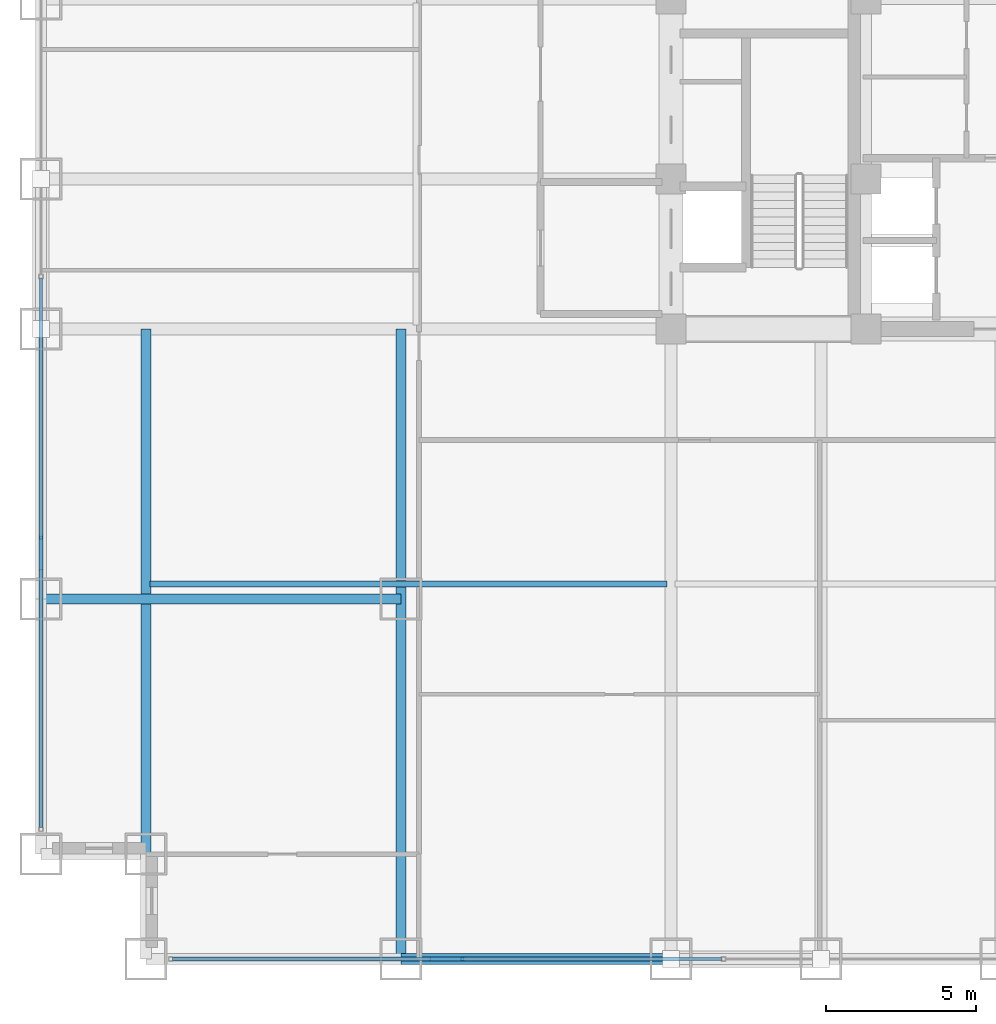
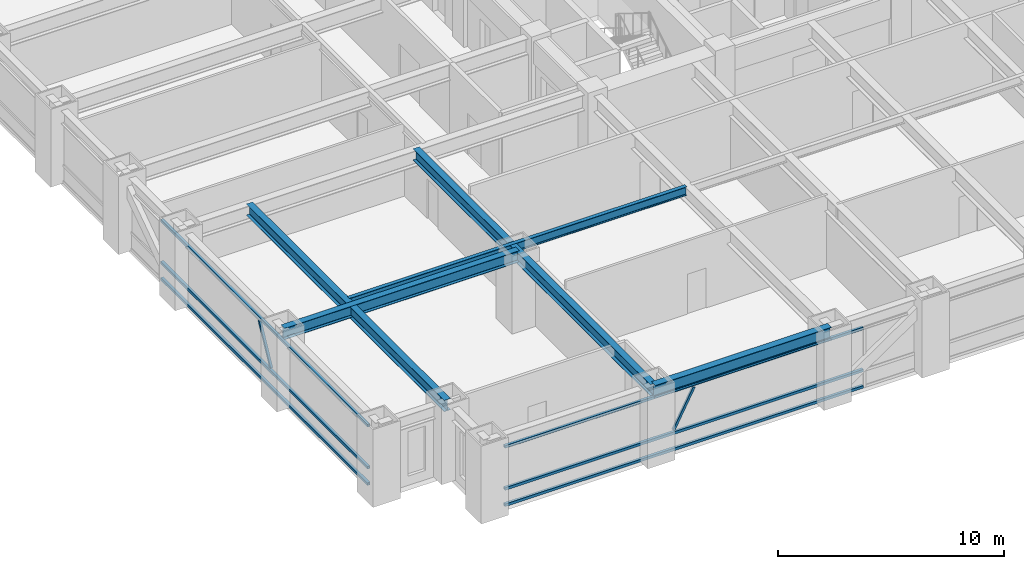
# One storey, part 3 of 28: 8 members, 5 beams, 2 elements without a shape of their own.
"""IFC4 building model written with IfcOpenShell, lengths in metres."""

from ifc_helpers import new_model, si_unit, direction, frame, origin, origin_2d, place, context, subcontext, project, spatial, hollow_rectangle, i_section, extrude, source, transform, mapped, material, material_profile, profile_set, type_object, element, aggregate, save


model = new_model("IFC4")

# Units and contexts
model_context = context("Model", 3, precision=1e-05, world=origin(), true_north=direction((0.0, 1.0)))
body_context = subcontext(model_context, "Body", "Model", "MODEL_VIEW")
ifc_project = project(units=[si_unit("LENGTHUNIT", "METRE"), si_unit("AREAUNIT", "SQUARE_METRE"), si_unit("VOLUMEUNIT", "CUBIC_METRE"), si_unit("PLANEANGLEUNIT", "RADIAN"), si_unit("MASSUNIT", "GRAM", prefix="KILO")], contexts=[model_context])

# Site, building, storey
site_placement = place(None, origin())
site = spatial("IfcSite", under=ifc_project, at=site_placement, CompositionType="ELEMENT")
building_placement = place(site_placement, origin())
building = spatial("IfcBuilding", under=site, at=building_placement, Name="Khorayat Bourse Tower", CompositionType="ELEMENT")
storey_placement = place(building_placement, frame((0.0, 0.0, 57.800048828125)))
storey = spatial("IfcBuildingStorey", under=building, at=storey_placement, Name="L12", CompositionType="ELEMENT", Elevation=57.800048828125)

# Beams
ifc_material_1 = material(Name="Steel ASTM A992 Grade 50", Category="steel")
ifc_material_profile_1 = material_profile(ifc_material_1, i_section(OverallWidth=0.35498046875, OverallDepth=0.695068359375, WebThickness=0.015380859375, FlangeThickness=0.02490234375, FilletRadius=0.01806640625, at=origin_2d()), Name="W690X217")
ifc_profile_set_1 = profile_set([ifc_material_profile_1], Name="Steel ASTM A992 Grade 50")
beam_type_1 = type_object("IfcBeamType", Name="BM-SPAN-690", PredefinedType="SPANDREL", material=ifc_profile_set_1)
shared_shape_1 = source(origin(), body_context, "Body", "SweptSolid", [
    extrude(i_section(OverallWidth=0.35498046875, OverallDepth=0.695068359375, WebThickness=0.015380859375, FlangeThickness=0.02490234375, FilletRadius=0.01806640625, at=origin_2d()), origin(), (0.0, 0.0, 1.0), 9.0),
])
beam_1_placement = place(storey_placement, frame((-20.0, -32.0, 3.592529296875), z_axis=(1.0, 0.0, 0.0), x_axis=(0.0, 1.0, 0.0)))
element("IfcBeam", 1, at=beam_1_placement, inside=storey, type_object=beam_type_1, Name="L12 BM-SPAN-690 BM-L12-SPN-025", PredefinedType="SPANDREL", context=body_context, shape_type="MappedRepresentation", body=[
    mapped(shared_shape_1, transform((0.0, 0.0, 0.0), scale=1.0)),
])
ifc_material_profile_2 = material_profile(ifc_material_1, i_section(OverallWidth=0.324951171875, OverallDepth=0.615966796875, WebThickness=0.013916015625, FlangeThickness=0.021484375, FilletRadius=0.01611328125, at=origin_2d()), Name="W610X174")
ifc_profile_set_2 = profile_set([ifc_material_profile_2], Name="Steel ASTM A992 Grade 50")
beam_type_2 = type_object("IfcBeamType", Name="BM-GIRD-610", PredefinedType="BEAM", material=ifc_profile_set_2)
shared_shape_2 = source(origin(), body_context, "Body", "SweptSolid", [
    extrude(i_section(OverallWidth=0.324951171875, OverallDepth=0.615966796875, WebThickness=0.013916015625, FlangeThickness=0.021484375, FilletRadius=0.01611328125, at=origin_2d()), origin(), (0.0, 0.0, 1.0), 21.0),
])
beam_2_placement = place(storey_placement, frame((-20.0, -32.0, 3.6318359375), z_axis=(0.0, 1.0, 0.0), x_axis=(-1.0, 0.0, 0.0)))
element("IfcBeam", 2, at=beam_2_placement, inside=storey, type_object=beam_type_2, Name="L12 BM-GIRD-610 BM-L12-CNRY-084", PredefinedType="BEAM", context=body_context, shape_type="MappedRepresentation", body=[
    mapped(shared_shape_2, transform((0.0, 0.0, 0.0), scale=1.0)),
])
shared_shape_3 = source(origin(), body_context, "Body", "SweptSolid", [
    extrude(i_section(OverallWidth=0.324951171875, OverallDepth=0.615966796875, WebThickness=0.013916015625, FlangeThickness=0.021484375, FilletRadius=0.01611328125, at=origin_2d()), origin(), (0.0, 0.0, 1.0), 17.5),
])
beam_3_placement = place(storey_placement, frame((-28.5, -28.5, 3.6318359375), z_axis=(0.0, 1.0, 0.0), x_axis=(-1.0, 0.0, 0.0)))
element("IfcBeam", 3, at=beam_3_placement, inside=storey, type_object=beam_type_2, Name="L12 BM-GIRD-610 BM-L12-CNRY-088", PredefinedType="BEAM", context=body_context, shape_type="MappedRepresentation", body=[
    mapped(shared_shape_3, transform((0.0, 0.0, 0.0), scale=1.0)),
])
shared_shape_4 = source(origin(), body_context, "Body", "SweptSolid", [
    extrude(i_section(OverallWidth=0.324951171875, OverallDepth=0.615966796875, WebThickness=0.013916015625, FlangeThickness=0.021484375, FilletRadius=0.01611328125, at=origin_2d()), origin(), (0.0, 0.0, 1.0), 12.0),
])
beam_4_placement = place(storey_placement, frame((-32.0, -20.0, 3.6318359375), z_axis=(1.0, 0.0, 0.0), x_axis=(0.0, 1.0, 0.0)))
element("IfcBeam", 4, at=beam_4_placement, inside=storey, type_object=beam_type_2, Name="L12 BM-GIRD-610 BM-L12-CNRX-093", PredefinedType="BEAM", context=body_context, shape_type="MappedRepresentation", body=[
    mapped(shared_shape_4, transform((0.0, 0.0, 0.0), scale=1.0)),
])
ifc_material_profile_3 = material_profile(ifc_material_1, i_section(OverallWidth=0.194091796875, OverallDepth=0.468994140625, WebThickness=0.0126953125, FlangeThickness=0.0205078125, FilletRadius=0.012939453125, at=origin_2d()), Name="W460X106")
ifc_profile_set_3 = profile_set([ifc_material_profile_3], Name="Steel ASTM A992 Grade 50")
beam_type_3 = type_object("IfcBeamType", Name="BM-JOIST-460", PredefinedType="JOIST", material=ifc_profile_set_3)
shared_shape_5 = source(origin(), body_context, "Body", "SweptSolid", [
    extrude(i_section(OverallWidth=0.194091796875, OverallDepth=0.468994140625, WebThickness=0.0126953125, FlangeThickness=0.0205078125, FilletRadius=0.012939453125, at=origin_2d()), origin(), (0.0, 0.0, 1.0), 17.240234375),
])
beam_5_placement = place(storey_placement, frame((-28.3701171875, -19.5, 3.70556640625), z_axis=(1.0, 0.0, 0.0), x_axis=(0.0, 1.0, 0.0)))
element("IfcBeam", 5, at=beam_5_placement, inside=storey, type_object=beam_type_3, Name="L12 BM-JOIST-460 BM-L12-JSTX-096", PredefinedType="JOIST", context=body_context, shape_type="MappedRepresentation", body=[
    mapped(shared_shape_5, transform((0.0, 0.0, 0.0), scale=1.0)),
])

# Curtain wall, members
ifc_material_2 = material(Name="Aluminium EN AW-6063 T6", Category="aluminium")
curtain_wall_type = type_object("IfcCurtainWallType", Name="CW-SYS-02", PredefinedType="NOTDEFINED", material=ifc_material_2)
curtain_wall_1_placement = place(storey_placement, origin())
curtain_wall_1 = element("IfcCurtainWall", 6, at=curtain_wall_1_placement, inside=storey, type_object=curtain_wall_type, Name="L12 Curtain Wall CW-L12-S1", PredefinedType="NOTDEFINED")
ifc_material_profile_4 = material_profile(ifc_material_2, hollow_rectangle(XDim=0.139892578125, YDim=0.139892578125, WallThickness=0.006103515625, at=origin_2d()), Name="ALU 140x140x6")
ifc_profile_set_4 = profile_set([ifc_material_profile_4], Name="Aluminium EN AW-6063 T6")
member_type_1 = type_object("IfcMemberType", Name="CWT-HORZ-140", PredefinedType="USERDEFINED", material=ifc_profile_set_4)
shared_shape_6 = source(origin(), body_context, "Body", "SweptSolid", [
    extrude(hollow_rectangle(XDim=0.139892578125, YDim=0.139892578125, WallThickness=0.006103515625, at=origin_2d()), origin(), (0.0, 0.0, 1.0), 18.2900390625),
])
member_1_placement = place(storey_placement, frame((-27.610107421875, -32.0, 0.070068359375), z_axis=(1.0, 0.0, 0.0), x_axis=(0.0, 1.0, 0.0)))
member_1 = element("IfcMember", 7, at=member_1_placement, type_object=member_type_1, Name="CW-L12-S1 Horizontal Transom 1-1", ObjectType="TRANSOM", PredefinedType="USERDEFINED", context=body_context, shape_type="MappedRepresentation", body=[
    mapped(shared_shape_6, transform((0.0, 0.0, 0.0), scale=1.0)),
])
member_2_placement = place(storey_placement, frame((-27.610107421875, -32.0, 0.949951171875), z_axis=(1.0, 0.0, 0.0), x_axis=(0.0, 1.0, 0.0)))
member_2 = element("IfcMember", 8, at=member_2_placement, type_object=member_type_1, Name="CW-L12-S1 Horizontal Transom 1-2", ObjectType="TRANSOM", PredefinedType="USERDEFINED", context=body_context, shape_type="MappedRepresentation", body=[
    mapped(shared_shape_6, transform((0.0, 0.0, 0.0), scale=1.0)),
])
member_3_placement = place(storey_placement, frame((-27.610107421875, -32.0, 3.219970703125), z_axis=(1.0, 0.0, 0.0), x_axis=(0.0, 1.0, 0.0)))
member_3 = element("IfcMember", 9, at=member_3_placement, type_object=member_type_1, Name="CW-L12-S1 Horizontal Transom 1-3", ObjectType="TRANSOM", PredefinedType="USERDEFINED", context=body_context, shape_type="MappedRepresentation", body=[
    mapped(shared_shape_6, transform((0.0, 0.0, 0.0), scale=1.0)),
])

curtain_wall_2_placement = place(storey_placement, origin())
curtain_wall_2 = element("IfcCurtainWall", 10, at=curtain_wall_2_placement, inside=storey, type_object=curtain_wall_type, Name="L12 Curtain Wall CW-L12-W1", PredefinedType="NOTDEFINED")
member_4_placement = place(storey_placement, frame((-32.0, -27.610107421875, 0.070068359375), z_axis=(0.0, 1.0, 0.0), x_axis=(-1.0, 0.0, 0.0)))
member_4 = element("IfcMember", 11, at=member_4_placement, type_object=member_type_1, Name="CW-L12-W1 Horizontal Transom 1-1", ObjectType="TRANSOM", PredefinedType="USERDEFINED", context=body_context, shape_type="MappedRepresentation", body=[
    mapped(shared_shape_6, transform((0.0, 0.0, 0.0), scale=1.0)),
])
member_5_placement = place(storey_placement, frame((-32.0, -27.610107421875, 0.949951171875), z_axis=(0.0, 1.0, 0.0), x_axis=(-1.0, 0.0, 0.0)))
member_5 = element("IfcMember", 12, at=member_5_placement, type_object=member_type_1, Name="CW-L12-W1 Horizontal Transom 1-2", ObjectType="TRANSOM", PredefinedType="USERDEFINED", context=body_context, shape_type="MappedRepresentation", body=[
    mapped(shared_shape_6, transform((0.0, 0.0, 0.0), scale=1.0)),
])
member_6_placement = place(storey_placement, frame((-32.0, -27.610107421875, 3.219970703125), z_axis=(0.0, 1.0, 0.0), x_axis=(-1.0, 0.0, 0.0)))
member_6 = element("IfcMember", 13, at=member_6_placement, type_object=member_type_1, Name="CW-L12-W1 Horizontal Transom 1-3", ObjectType="TRANSOM", PredefinedType="USERDEFINED", context=body_context, shape_type="MappedRepresentation", body=[
    mapped(shared_shape_6, transform((0.0, 0.0, 0.0), scale=1.0)),
])

# Member
ifc_material_profile_5 = material_profile(ifc_material_2, hollow_rectangle(XDim=0.1201171875, YDim=0.1201171875, WallThickness=0.0048828125, at=origin_2d()), Name="ALU 120x120x5")
ifc_profile_set_5 = profile_set([ifc_material_profile_5], Name="Aluminium EN AW-6063 T6")
member_type_2 = type_object("IfcMemberType", Name="CWM-DIAG-120", PredefinedType="MULLION", material=ifc_profile_set_5)
shared_shape_7 = source(origin(), body_context, "Body", "SweptSolid", [
    extrude(hollow_rectangle(XDim=0.1201171875, YDim=0.1201171875, WallThickness=0.0048828125, at=origin_2d()), origin(), (0.0, 0.0, 1.0), 2.226318359375),
])
member_7_placement = place(storey_placement, frame((-18.9833984375, -32.0, 1.099853515625), z_axis=(0.465714796031, 0.0, 0.884934872608), x_axis=(0.0, 1.0, 0.0)))
member_7 = element("IfcMember", 14, at=member_7_placement, type_object=member_type_2, Name="CW-L12-S1 Faceted Diagonal Mullion 1", PredefinedType="MULLION", context=body_context, shape_type="MappedRepresentation", body=[
    mapped(shared_shape_7, transform((0.0, 0.0, 0.0), scale=1.0)),
])

aggregate(curtain_wall_1, [member_1, member_2, member_3, member_7])

member_8_placement = place(storey_placement, frame((-32.0, -18.9833984375, 1.099853515625), z_axis=(0.0, 0.465714796031, 0.884934872608), x_axis=(-1.0, 0.0, 0.0)))
member_8 = element("IfcMember", 15, at=member_8_placement, type_object=member_type_2, Name="CW-L12-W1 Faceted Diagonal Mullion 1", PredefinedType="MULLION", context=body_context, shape_type="MappedRepresentation", body=[
    mapped(shared_shape_7, transform((0.0, 0.0, 0.0), scale=1.0)),
])

aggregate(curtain_wall_2, [member_4, member_5, member_6, member_8])

save(model, "model.ifc")
